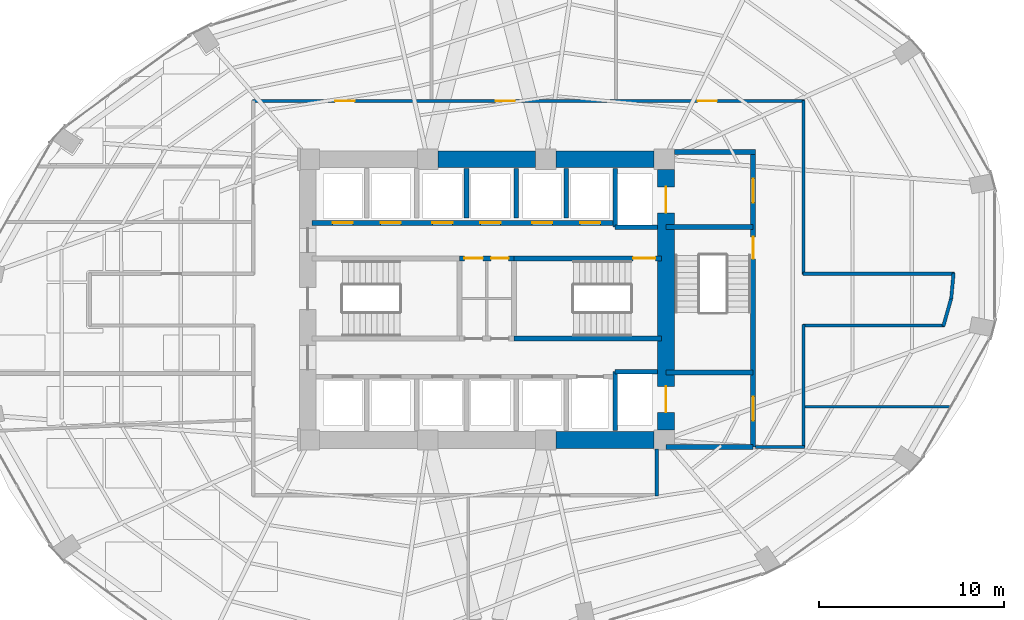
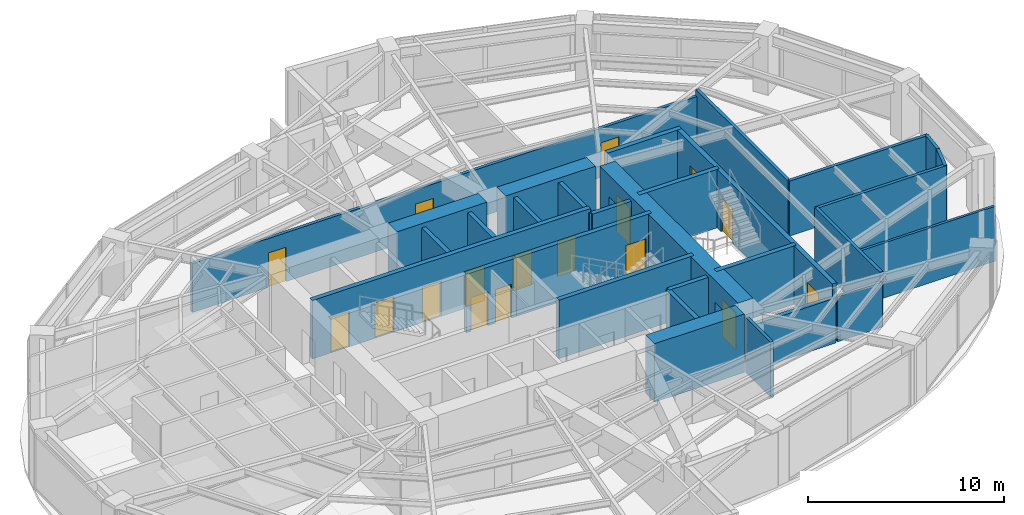
# One storey, part 21 of 24: 30 walls, 17 doors, 17 openings.
"""IFC4 building model written with IfcOpenShell, lengths in metres."""

import ifcopenshell
import ifcopenshell.guid

model = None  # the IFC model being written
_history = None  # IfcOwnerHistory: only IFC2X3 demands one
_inside = {}  # id of a spatial element -> (the spatial element, [elements in it])
_under = {}  # id of a project, library or spatial element -> (it, [spatial elements below it])
_declared = {}  # id of a project -> (the project, [libraries it declares])
_typed = {}  # id of a type object -> (the type object, [elements of that type])
_made_of = {}  # id of a material, layer set ... -> (it, [elements and type objects made of it])


def new_model(schema):
    """Start an empty IFC model of exactly this schema.

    Asked for "IFC4X3", IfcOpenShell would pick the latest addendum, in which some entities
    have other attributes; the version numbers below select the first issue.
    IFC2X3 requires an IfcOwnerHistory on every rooted entity: one is made here for all.
    """
    global model, _history
    if schema == "IFC4X3":
        model = ifcopenshell.file(schema_version=(4, 3, 0, 0))
    else:
        model = ifcopenshell.file(schema=schema)
    _inside.clear()
    _under.clear()
    _declared.clear()
    _typed.clear()
    _made_of.clear()
    _history = None
    if model.schema == "IFC2X3":
        org = make("IfcOrganization", Name="unknown")
        user = make(
            "IfcPersonAndOrganization",
            ThePerson=make("IfcPerson", FamilyName="unknown"),
            TheOrganization=org,
        )
        app = make(
            "IfcApplication",
            ApplicationDeveloper=org,
            Version="unknown",
            ApplicationFullName="unknown",
            ApplicationIdentifier="unknown",
        )
        _history = make(
            "IfcOwnerHistory",
            OwningUser=user,
            OwningApplication=app,
            ChangeAction="ADDED",
            CreationDate=0,
        )
    return model


def make(cls, **values):
    """One entity of the class cls with the attributes given. An attribute that is None is left unset."""
    return model.create_entity(
        cls, **{name: value for name, value in values.items() if value is not None}
    )


def rooted(cls, **values):
    """An entity with a GlobalId (a new one), such as an element, a storey or a relation."""
    return make(cls, GlobalId=ifcopenshell.guid.new(), OwnerHistory=_history, **values)


def si_unit(unit_type, name, prefix=None):
    """IfcSIUnit, for example si_unit("LENGTHUNIT", "METRE", prefix="MILLI")."""
    return make("IfcSIUnit", UnitType=unit_type, Prefix=prefix, Name=name)


def assignment(units):
    """IfcUnitAssignment: the units of a project."""
    return None if units is None else make("IfcUnitAssignment", Units=units)


def point(xyz):
    """IfcCartesianPoint."""
    return None if xyz is None else make("IfcCartesianPoint", Coordinates=xyz)


def direction(xyz):
    """IfcDirection."""
    return None if xyz is None else make("IfcDirection", DirectionRatios=xyz)


def frame(location, z_axis=None, x_axis=None):
    """IfcAxis2Placement3D, a coordinate frame: its origin and axes. An axis left out is left unset."""
    return make(
        "IfcAxis2Placement3D",
        Location=point(location),
        Axis=direction(z_axis),
        RefDirection=direction(x_axis),
    )


def frame_2d(location, x_axis=None):
    """IfcAxis2Placement2D, a coordinate frame in the plane: its origin and x axis."""
    return make(
        "IfcAxis2Placement2D", Location=point(location), RefDirection=direction(x_axis)
    )


def origin():
    """The frame at (0, 0, 0) with its axes left unset."""
    return frame((0.0, 0.0, 0.0))


def place(relative_to, where):
    """IfcLocalPlacement: puts the frame where relative to a parent placement (None: the world)."""
    return make(
        "IfcLocalPlacement", PlacementRelTo=relative_to, RelativePlacement=where
    )


def context(
    kind, dimensions, precision=None, world=None, true_north=None, identifier=None
):
    """IfcGeometricRepresentationContext, for example the 3D "Model" context."""
    return make(
        "IfcGeometricRepresentationContext",
        ContextIdentifier=identifier,
        ContextType=kind,
        CoordinateSpaceDimension=dimensions,
        Precision=precision,
        WorldCoordinateSystem=world,
        TrueNorth=true_north,
    )


def subcontext(parent, identifier, kind, view, scale=None):
    """IfcGeometricRepresentationSubContext, for example "Body" below "Model"."""
    return make(
        "IfcGeometricRepresentationSubContext",
        ContextIdentifier=identifier,
        ContextType=kind,
        ParentContext=parent,
        TargetScale=scale,
        TargetView=view,
    )


def project(units=None, contexts=None):
    """IfcProject with its units and contexts."""
    return rooted(
        "IfcProject",
        Name="project",
        RepresentationContexts=contexts,
        UnitsInContext=assignment(units),
    )


def spatial(cls, under=None, at=None, **own):
    """A site, building, storey or space (cls), placed at a placement, below another one or the project."""
    s = rooted(cls, ObjectPlacement=at, **own)
    if under is not None:
        _under.setdefault(under.id(), (under, []))[1].append(s)
    return s


def profile(cls, at=None, kind="AREA", **sizes):
    """A parametric profile (cls). Its sizes go by their IFC names, for example OverallWidth=200.0."""
    return make(cls, ProfileType=kind, Position=at, **sizes)


def rectangle(**sizes):
    """IfcRectangleProfileDef."""
    return profile("IfcRectangleProfileDef", **sizes)


def extrude(swept, where, along, depth):
    """IfcExtrudedAreaSolid: the profile swept, set in the frame where, extruded along a direction by depth."""
    return make(
        "IfcExtrudedAreaSolid",
        SweptArea=swept,
        Position=where,
        ExtrudedDirection=direction(along),
        Depth=depth,
    )


def shape(context_of_items, identifier, shape_type, items):
    """IfcShapeRepresentation: the items that make up one representation, for example the "Body"."""
    return make(
        "IfcShapeRepresentation",
        ContextOfItems=context_of_items,
        RepresentationIdentifier=identifier,
        RepresentationType=shape_type,
        Items=items,
    )


def material(Name=None, Category=None):
    """IfcMaterial."""
    return make("IfcMaterial", Name=Name, Category=Category)


def layer(
    of_material, thickness, ventilated=None, Name=None, Category=None, Priority=None
):
    """IfcMaterialLayer: one layer of a wall or slab, of a material (None: an air gap)."""
    return make(
        "IfcMaterialLayer",
        Material=of_material,
        LayerThickness=thickness,
        IsVentilated=ventilated,
        Name=Name,
        Category=Category,
        Priority=Priority,
    )


def layer_set(layers, Name=None):
    """IfcMaterialLayerSet."""
    return make("IfcMaterialLayerSet", MaterialLayers=layers, LayerSetName=Name)


def made_of(thing, what):
    """Note that an element or type object is made of a material, layer set ...; save() writes the relation."""
    if what is not None:
        _made_of.setdefault(what.id(), (what, []))[1].append(thing)
    return thing


def type_object(cls, material=None, **own):
    """A type object (cls), such as IfcWallType, which elements share."""
    return made_of(rooted(cls, **own), material)


def element(
    cls,
    number,
    at=None,
    inside=None,
    cuts=None,
    type_object=None,
    material=None,
    context=None,
    identifier="Body",
    shape_type=None,
    held_by="IfcProductDefinitionShape",
    body=None,
    shapes=None,
    **own,
):
    """One element of the class cls, such as IfcWall. Its Tag is "e" and its number.

    at: its placement. inside: the storey or other place that contains it. cuts: it is an
    opening in that element (IfcRelVoidsElement). A single representation is given by context,
    identifier, shape_type and body (its items); several are given by shapes. held_by: the class
    of the entity that holds the representations. save() writes the other relations.
    """
    e = rooted(cls, Tag="e%d" % number, ObjectPlacement=at, **own)
    if body is not None:
        shapes = [shape(context, identifier, shape_type, body)]
    if shapes is not None:
        e.Representation = make(held_by, Representations=shapes)
    if inside is not None:
        _inside.setdefault(inside.id(), (inside, []))[1].append(e)
    if cuts is not None:
        rooted(
            "IfcRelVoidsElement", RelatingBuildingElement=cuts, RelatedOpeningElement=e
        )
    if type_object is not None:
        _typed.setdefault(type_object.id(), (type_object, []))[1].append(e)
    return made_of(e, material)


def fill(opening, filler):
    """IfcRelFillsElement: the door or window that sits in an opening."""
    return rooted(
        "IfcRelFillsElement",
        RelatingOpeningElement=opening,
        RelatedBuildingElement=filler,
    )


def aggregate(whole, parts):
    """IfcRelAggregates: a whole, such as a stair, and the parts it consists of."""
    return rooted("IfcRelAggregates", RelatingObject=whole, RelatedObjects=parts)


def save(model, path):
    """Write the relations noted so far, then the file.

    IfcRelAggregates (storeys below a building ...), IfcRelContainedInSpatialStructure (elements
    in a storey), IfcRelDefinesByType, IfcRelAssociatesMaterial and IfcRelDeclares: one each for
    every whole, place, type object, material and project.
    """
    for whole, parts in _under.values():
        aggregate(whole, parts)
    for where, things in _inside.values():
        rooted(
            "IfcRelContainedInSpatialStructure",
            RelatedElements=things,
            RelatingStructure=where,
        )
    for kind, things in _typed.values():
        rooted("IfcRelDefinesByType", RelatedObjects=things, RelatingType=kind)
    for what, things in _made_of.values():
        rooted("IfcRelAssociatesMaterial", RelatedObjects=things, RelatingMaterial=what)
    for by, libraries in _declared.values():
        rooted("IfcRelDeclares", RelatingContext=by, RelatedDefinitions=libraries)
    model.write(path)


model = new_model("IFC4")

# Units and contexts
model_context = context("Model", 3, precision=1e-05, world=origin(), true_north=direction((0.0, 1.0)))
body_context = subcontext(model_context, "Body", "Model", "MODEL_VIEW")
ifc_project = project(units=[si_unit("LENGTHUNIT", "METRE"), si_unit("AREAUNIT", "SQUARE_METRE"), si_unit("VOLUMEUNIT", "CUBIC_METRE"), si_unit("PLANEANGLEUNIT", "RADIAN"), si_unit("MASSUNIT", "GRAM", prefix="KILO")], contexts=[model_context])

# Site, building, storey
site_placement = place(None, origin())
site = spatial("IfcSite", under=ifc_project, at=site_placement, CompositionType="ELEMENT")
building_placement = place(site_placement, origin())
building = spatial("IfcBuilding", under=site, at=building_placement, Name="Lazwardi Medical Tower", CompositionType="ELEMENT")
storey_placement = place(building_placement, frame((0.0, 0.0, 39.7919921875)))
storey = spatial("IfcBuildingStorey", under=building, at=storey_placement, Name="L09", CompositionType="ELEMENT", Elevation=39.7919921875)

# Wall, openings, doors
ifc_material_1 = material(Name="Fire-rated gypsum board on steel stud", Category="steel")
ifc_layer_1 = layer(ifc_material_1, 0.179931640625)
ifc_layer_set_1 = layer_set([ifc_layer_1], Name="Fire-rated gypsum board on steel stud")
wall_type_1 = type_object("IfcWallType", Name="WL-COR-180", PredefinedType="PARTITIONING", material=ifc_layer_set_1)
wall_1_placement = place(storey_placement, frame((23.31005859375, 38.75, 0.0), z_axis=(0.0, 0.0, 1.0), x_axis=(1.0, 0.0, 0.0)))
wall_1 = element("IfcWall", 1, at=wall_1_placement, inside=storey, type_object=wall_type_1, Name="L09 Corridor partition 4", PredefinedType="PARTITIONING", context=body_context, shape_type="SweptSolid", body=[
    extrude(rectangle(XDim=29.8798828125, YDim=0.179931640625, at=frame_2d((14.93994140625, 0.0))), origin(), (0.0, 0.0, 1.0), 3.052978515625),
])
opening_1_placement = place(wall_1_placement, frame((24.10107421875, 0.0, 0.0)))
opening_1 = element("IfcOpeningElement", 2, at=opening_1_placement, cuts=wall_1, Name="Opening D-L09-012", PredefinedType="OPENING", context=body_context, shape_type="SweptSolid", body=[
    extrude(rectangle(XDim=1.050048828125, YDim=2.14990234375, at=frame_2d((0.52490234375, 1.074951171875))), frame((0.0, 0.099853515625, 0.0), z_axis=(0.0, -1.0, 0.0), x_axis=(1.0, 0.0, 0.0)), (0.0, 0.0, 1.0), 0.199951171875),
])
opening_2_placement = place(wall_1_placement, frame((13.1650390625, 0.0, 0.0)))
opening_2 = element("IfcOpeningElement", 3, at=opening_2_placement, cuts=wall_1, Name="Opening D-L09-013", PredefinedType="OPENING", context=body_context, shape_type="SweptSolid", body=[
    extrude(rectangle(XDim=1.050048828125, YDim=2.14990234375, at=frame_2d((0.52490234375, 1.074951171875))), frame((0.0, 0.099853515625, 0.0), z_axis=(0.0, -1.0, 0.0), x_axis=(1.0, 0.0, 0.0)), (0.0, 0.0, 1.0), 0.199951171875),
])
opening_3_placement = place(wall_1_placement, frame((4.47900390625, 0.0, 0.0)))
opening_3 = element("IfcOpeningElement", 4, at=opening_3_placement, cuts=wall_1, Name="Opening D-L09-014", PredefinedType="OPENING", context=body_context, shape_type="SweptSolid", body=[
    extrude(rectangle(XDim=1.050048828125, YDim=2.14990234375, at=frame_2d((0.52490234375, 1.074951171875))), frame((0.0, 0.099853515625, 0.0), z_axis=(0.0, -1.0, 0.0), x_axis=(1.0, 0.0, 0.0)), (0.0, 0.0, 1.0), 0.199951171875),
])
ifc_material_2 = material(Name="Anti-microbial laminate hospital leaf")
door_type_1 = type_object("IfcDoorType", Name="DR-CLN-1050", OperationType="NOTDEFINED", PredefinedType="DOOR", material=ifc_material_2)
door_1_placement = place(opening_1_placement, origin())
door_1 = element("IfcDoor", 5, at=door_1_placement, inside=storey, type_object=door_type_1, Name="L09 Ward Dietetic Pantry Door 04", OperationType="SINGLE_SWING_LEFT", OverallHeight=2.14990234375, OverallWidth=1.050048828125, PredefinedType="DOOR", context=body_context, shape_type="SweptSolid", body=[
    extrude(rectangle(XDim=1.050048828125, YDim=2.14990234375, at=frame_2d((0.52490234375, 1.074951171875))), frame((0.0, 0.02490234375, 0.0), z_axis=(0.0, -1.0, 0.0), x_axis=(1.0, 0.0, 0.0)), (0.0, 0.0, 1.0), 0.050048828125),
])
fill(opening_1, door_1)
door_2_placement = place(opening_2_placement, origin())
door_2 = element("IfcDoor", 6, at=door_2_placement, inside=storey, type_object=door_type_1, Name="L09 Outpatient Clinic Door 05", OperationType="SINGLE_SWING_RIGHT", OverallHeight=2.14990234375, OverallWidth=1.050048828125, PredefinedType="DOOR", context=body_context, shape_type="SweptSolid", body=[
    extrude(rectangle(XDim=1.050048828125, YDim=2.14990234375, at=frame_2d((0.52490234375, 1.074951171875))), frame((0.0, 0.02490234375, 0.0), z_axis=(0.0, -1.0, 0.0), x_axis=(1.0, 0.0, 0.0)), (0.0, 0.0, 1.0), 0.050048828125),
])
fill(opening_2, door_2)
door_3_placement = place(opening_3_placement, origin())
door_3 = element("IfcDoor", 7, at=door_3_placement, inside=storey, type_object=door_type_1, Name="L09 Outpatient Clinic Door 06", OperationType="SINGLE_SWING_LEFT", OverallHeight=2.14990234375, OverallWidth=1.050048828125, PredefinedType="DOOR", context=body_context, shape_type="SweptSolid", body=[
    extrude(rectangle(XDim=1.050048828125, YDim=2.14990234375, at=frame_2d((0.52490234375, 1.074951171875))), frame((0.0, 0.02490234375, 0.0), z_axis=(0.0, -1.0, 0.0), x_axis=(1.0, 0.0, 0.0)), (0.0, 0.0, 1.0), 0.050048828125),
])
fill(opening_3, door_3)

# Walls
wall_2_placement = place(storey_placement, frame((53.14990234375, 38.7900390625, 0.0), z_axis=(0.0, 0.0, 1.0), x_axis=(0.0, -1.0, 0.0)))
element("IfcWall", 8, at=wall_2_placement, inside=storey, type_object=wall_type_1, Name="L09 Corridor partition 5", PredefinedType="PARTITIONING", context=body_context, shape_type="SweptSolid", body=[
    extrude(rectangle(XDim=9.429931640625, YDim=0.179931640625, at=frame_2d((4.71484375, 0.0))), origin(), (0.0, 0.0, 1.0), 3.427978515625),
])
wall_3_placement = place(storey_placement, frame((53.110107421875, 29.39990234375, 0.0), z_axis=(0.0, 0.0, 1.0), x_axis=(1.0, 0.0, 0.0)))
element("IfcWall", 9, at=wall_3_placement, inside=storey, type_object=wall_type_1, Name="L09 Corridor partition 6", PredefinedType="PARTITIONING", context=body_context, shape_type="SweptSolid", body=[
    extrude(rectangle(XDim=8.19677734375, YDim=0.179931640625, at=frame_2d((4.098388671875, 0.0))), origin(), (0.0, 0.0, 1.0), 3.427978515625),
])
wall_4_placement = place(storey_placement, frame((61.2705078125, 29.439697265625, 0.0), z_axis=(0.0, 0.0, 1.0), x_axis=(-0.092539930621, -0.995708974169, 0.0)))
element("IfcWall", 10, at=wall_4_placement, inside=storey, type_object=wall_type_1, Name="L09 Corridor partition 7", PredefinedType="PARTITIONING", context=body_context, shape_type="SweptSolid", body=[
    extrude(rectangle(XDim=1.416748046875, YDim=0.179931640625, at=frame_2d((0.70849609375, 0.0))), origin(), (0.0, 0.0, 1.0), 3.427978515625),
])
wall_5_placement = place(storey_placement, frame((61.15380859375, 28.107421875, 0.0), z_axis=(0.0, 0.0, 1.0), x_axis=(-0.271748942561, -0.962368179138, 0.0)))
element("IfcWall", 11, at=wall_5_placement, inside=storey, type_object=wall_type_1, Name="L09 Corridor partition 8", PredefinedType="PARTITIONING", context=body_context, shape_type="SweptSolid", body=[
    extrude(rectangle(XDim=1.6064453125, YDim=0.179931640625, at=frame_2d((0.80322265625, 0.0))), origin(), (0.0, 0.0, 1.0), 3.427978515625),
])
wall_6_placement = place(storey_placement, frame((60.768310546875, 26.60009765625, 0.0), z_axis=(0.0, 0.0, 1.0), x_axis=(-1.0, 0.0, 0.0)))
element("IfcWall", 12, at=wall_6_placement, inside=storey, type_object=wall_type_1, Name="L09 Corridor partition 9", PredefinedType="PARTITIONING", context=body_context, shape_type="SweptSolid", body=[
    extrude(rectangle(XDim=7.658203125, YDim=0.179931640625, at=frame_2d((3.8291015625, 0.0))), origin(), (0.0, 0.0, 1.0), 3.427978515625),
])
wall_7_placement = place(storey_placement, frame((53.14990234375, 26.639892578125, 0.0), z_axis=(0.0, 0.0, 1.0), x_axis=(0.0, -1.0, 0.0)))
element("IfcWall", 13, at=wall_7_placement, inside=storey, type_object=wall_type_1, Name="L09 Corridor partition 10", PredefinedType="PARTITIONING", context=body_context, shape_type="SweptSolid", body=[
    extrude(rectangle(XDim=6.659912109375, YDim=0.179931640625, at=frame_2d((3.330078125, 0.0))), origin(), (0.0, 0.0, 1.0), 3.427978515625),
])
wall_8_placement = place(storey_placement, frame((53.18994140625, 20.02001953125, 0.0), z_axis=(0.0, 0.0, 1.0), x_axis=(-1.0, 0.0, 0.0)))
element("IfcWall", 14, at=wall_8_placement, inside=storey, type_object=wall_type_1, Name="L09 Corridor partition 11", PredefinedType="PARTITIONING", context=body_context, shape_type="SweptSolid", body=[
    extrude(rectangle(XDim=2.64990234375, YDim=0.179931640625, at=frame_2d((1.324951171875, 0.0))), origin(), (0.0, 0.0, 1.0), 2.81298828125),
])
wall_9_placement = place(storey_placement, frame((45.199951171875, 19.909912109375, 0.0), z_axis=(0.0, 0.0, 1.0), x_axis=(0.0, -1.0, 0.0)))
element("IfcWall", 15, at=wall_9_placement, inside=storey, type_object=wall_type_1, Name="L09 Corridor partition 14", PredefinedType="PARTITIONING", context=body_context, shape_type="SweptSolid", body=[
    extrude(rectangle(XDim=2.5498046875, YDim=0.179931640625, at=frame_2d((1.27490234375, 0.0))), origin(), (0.0, 0.0, 1.0), 3.427978515625),
])

# Wall, openings, doors
ifc_material_3 = material(Name="Concrete C80/95", Category="concrete")
ifc_layer_2 = layer(ifc_material_3, 0.89990234375)
ifc_layer_set_2 = layer_set([ifc_layer_2], Name="Concrete C80/95")
wall_type_2 = type_object("IfcWallType", Name="WL-CORE-900", PredefinedType="SHEAR", material=ifc_layer_set_2)
wall_10_placement = place(storey_placement, frame((45.699951171875, 20.949951171875, 0.0), z_axis=(0.0, 0.0, 1.0), x_axis=(0.0, 1.0, 0.0)))
wall_10 = element("IfcWall", 16, at=wall_10_placement, inside=storey, type_object=wall_type_2, Name="Core wall CW-S1 east L09", PredefinedType="SHEAR", context=body_context, shape_type="SweptSolid", body=[
    extrude(rectangle(XDim=14.10009765625, YDim=0.89990234375, at=frame_2d((7.050048828125, 0.0))), origin(), (0.0, 0.0, 1.0), 3.64794921875),
])
opening_4_placement = place(wall_10_placement, frame((11.75, 0.0, 0.0)))
opening_4 = element("IfcOpeningElement", 17, at=opening_4_placement, cuts=wall_10, Name="Opening LD-L09-001", PredefinedType="OPENING", context=body_context, shape_type="SweptSolid", body=[
    extrude(rectangle(XDim=1.39990234375, YDim=2.300048828125, at=frame_2d((0.699951171875, 1.14990234375))), frame((0.0, 0.4599609375, 0.0), z_axis=(0.0, -1.0, 0.0), x_axis=(1.0, 0.0, 0.0)), (0.0, 0.0, 1.0), 0.919921875),
])
opening_5_placement = place(wall_10_placement, frame((0.949951171875, 0.0, 0.0)))
opening_5 = element("IfcOpeningElement", 18, at=opening_5_placement, cuts=wall_10, Name="Opening LD-L09-002", PredefinedType="OPENING", context=body_context, shape_type="SweptSolid", body=[
    extrude(rectangle(XDim=1.39990234375, YDim=2.300048828125, at=frame_2d((0.699951171875, 1.14990234375))), frame((0.0, 0.4599609375, 0.0), z_axis=(0.0, -1.0, 0.0), x_axis=(1.0, 0.0, 0.0)), (0.0, 0.0, 1.0), 0.919921875),
])
ifc_material_4 = material(Name="Brushed stainless steel bed-lift landing door", Category="steel")
door_type_2 = type_object("IfcDoorType", Name="DR-LFT-1400", OperationType="NOTDEFINED", PredefinedType="DOOR", material=ifc_material_4)
door_4_placement = place(opening_4_placement, origin())
door_4 = element("IfcDoor", 19, at=door_4_placement, inside=storey, type_object=door_type_2, Name="L09 Lift Landing Door FL-01", OperationType="SLIDING_TO_LEFT", OverallHeight=2.300048828125, OverallWidth=1.39990234375, PredefinedType="DOOR", context=body_context, shape_type="SweptSolid", body=[
    extrude(rectangle(XDim=1.39990234375, YDim=2.300048828125, at=frame_2d((0.699951171875, 1.14990234375))), frame((0.0, 0.02490234375, 0.0), z_axis=(0.0, -1.0, 0.0), x_axis=(1.0, 0.0, 0.0)), (0.0, 0.0, 1.0), 0.050048828125),
])
fill(opening_4, door_4)
door_5_placement = place(opening_5_placement, origin())
door_5 = element("IfcDoor", 20, at=door_5_placement, inside=storey, type_object=door_type_2, Name="L09 Lift Landing Door FL-02", OperationType="SLIDING_TO_LEFT", OverallHeight=2.300048828125, OverallWidth=1.39990234375, PredefinedType="DOOR", context=body_context, shape_type="SweptSolid", body=[
    extrude(rectangle(XDim=1.39990234375, YDim=2.300048828125, at=frame_2d((0.699951171875, 1.14990234375))), frame((0.0, 0.02490234375, 0.0), z_axis=(0.0, -1.0, 0.0), x_axis=(1.0, 0.0, 0.0)), (0.0, 0.0, 1.0), 0.050048828125),
])
fill(opening_5, door_5)

# Walls
wall_11_placement = place(storey_placement, frame((33.35009765625, 35.60009765625, 0.0), z_axis=(0.0, 0.0, 1.0), x_axis=(1.0, 0.0, 0.0)))
element("IfcWall", 21, at=wall_11_placement, inside=storey, type_object=wall_type_2, Name="Core wall CW-S1 N2 L09", PredefinedType="SHEAR", context=body_context, shape_type="SweptSolid", body=[
    extrude(rectangle(XDim=5.2998046875, YDim=0.89990234375, at=frame_2d((2.64990234375, 0.0))), origin(), (0.0, 0.0, 1.0), 3.64794921875),
])
for number, where, z_axis, x_axis, name in (
    (22, (39.75, 20.39990234375, 0.0), (0.0, 0.0, 1.0), (1.0, 0.0, 0.0), "Core wall CW-S1 S3 L09"),
    (23, (39.75, 35.60009765625, 0.0), (0.0, 0.0, 1.0), (1.0, 0.0, 0.0), "Core wall CW-S1 N3 L09"),
):
    element("IfcWall", number, at=place(storey_placement, frame(where, z_axis=z_axis, x_axis=x_axis)), inside=storey, type_object=wall_type_2, Name=name, PredefinedType="SHEAR", context=body_context, shape_type="SweptSolid", body=[
        extrude(rectangle(XDim=5.300048828125, YDim=0.89990234375, at=frame_2d((2.64990234375, 0.0))), origin(), (0.0, 0.0, 1.0), 3.64794921875),
    ])
ifc_material_5 = material(Name="Autoclaved aerated concrete blockwork", Category="masonry")
ifc_layer_3 = layer(ifc_material_5, 0.25)
ifc_layer_set_3 = layer_set([ifc_layer_3], Name="Autoclaved aerated concrete blockwork")
wall_type_3 = type_object("IfcWallType", Name="WL-SHAFT-250", PredefinedType="SOLIDWALL", material=ifc_layer_set_3)
wall_12_placement = place(storey_placement, frame((42.949951171875, 31.919921875, 0.0), z_axis=(0.0, 0.0, 1.0), x_axis=(0.0, 1.0, 0.0)))
element("IfcWall", 24, at=wall_12_placement, inside=storey, type_object=wall_type_3, Name="L09 FL-01 West shaft wall", PredefinedType="SOLIDWALL", context=body_context, shape_type="SweptSolid", body=[
    extrude(rectangle(XDim=3.18017578125, YDim=0.25, at=frame_2d((1.590087890625, 0.0))), origin(), (0.0, 0.0, 1.0), 3.427978515625),
])
wall_13_placement = place(storey_placement, frame((42.949951171875, 31.919921875, 0.0), z_axis=(0.0, 0.0, 1.0), x_axis=(1.0, 0.0, 0.0)))
element("IfcWall", 25, at=wall_13_placement, inside=storey, type_object=wall_type_3, Name="L09 FL-01 South shaft wall", PredefinedType="SOLIDWALL", context=body_context, shape_type="SweptSolid", body=[
    extrude(rectangle(XDim=2.300048828125, YDim=0.25, at=frame_2d((1.14990234375, 0.0))), origin(), (0.0, 0.0, 1.0), 3.427978515625),
])
wall_14_placement = place(storey_placement, frame((42.949951171875, 20.89990234375, 0.0), z_axis=(0.0, 0.0, 1.0), x_axis=(0.0, 1.0, 0.0)))
element("IfcWall", 26, at=wall_14_placement, inside=storey, type_object=wall_type_3, Name="L09 FL-02 West shaft wall", PredefinedType="SOLIDWALL", context=body_context, shape_type="SweptSolid", body=[
    extrude(rectangle(XDim=3.2001953125, YDim=0.25, at=frame_2d((1.60009765625, 0.0))), origin(), (0.0, 0.0, 1.0), 3.427978515625),
])
wall_15_placement = place(storey_placement, frame((42.949951171875, 24.10009765625, 0.0), z_axis=(0.0, 0.0, 1.0), x_axis=(1.0, 0.0, 0.0)))
element("IfcWall", 27, at=wall_15_placement, inside=storey, type_object=wall_type_3, Name="L09 FL-02 North shaft wall", PredefinedType="SOLIDWALL", context=body_context, shape_type="SweptSolid", body=[
    extrude(rectangle(XDim=2.300048828125, YDim=0.25, at=frame_2d((1.14990234375, 0.0))), origin(), (0.0, 0.0, 1.0), 3.427978515625),
])
for number, where, z_axis, x_axis, name in (
    (28, (34.89990234375, 32.419921875, 0.0), (0.0, 0.0, 1.0), (0.0, 1.0, 0.0), "L09 North hoistway divider"),
    (29, (37.60009765625, 32.419921875, 0.0), (0.0, 0.0, 1.0), (0.0, 1.0, 0.0), "L09 North hoistway divider"),
    (30, (40.300048828125, 32.419921875, 0.0), (0.0, 0.0, 1.0), (0.0, 1.0, 0.0), "L09 North hoistway divider"),
):
    element("IfcWall", number, at=place(storey_placement, frame(where, z_axis=z_axis, x_axis=x_axis)), inside=storey, type_object=wall_type_3, Name=name, PredefinedType="SOLIDWALL", context=body_context, shape_type="SweptSolid", body=[
        extrude(rectangle(XDim=2.68017578125, YDim=0.25, at=frame_2d((1.340087890625, 0.0))), origin(), (0.0, 0.0, 1.0), 3.427978515625),
    ])
wall_16_placement = place(storey_placement, frame((45.699951171875, 20.02001953125, 0.0), z_axis=(0.0, 0.0, 1.0), x_axis=(1.0, 0.0, 0.0)))
element("IfcWall", 31, at=wall_16_placement, inside=storey, type_object=wall_type_3, Name="L09 FFL-S South wall", PredefinedType="SOLIDWALL", context=body_context, shape_type="SweptSolid", body=[
    extrude(rectangle(XDim=4.715087890625, YDim=0.25, at=frame_2d((2.357421875, 0.0))), origin(), (0.0, 0.0, 1.0), 2.81298828125),
])

# Wall, openings, doors
ifc_material_6 = material(Name="Concrete C50/60", Category="concrete")
ifc_layer_4 = layer(ifc_material_6, 0.27001953125)
ifc_layer_set_4 = layer_set([ifc_layer_4], Name="Concrete C50/60")
wall_type_4 = type_object("IfcWallType", Name="WL-STR-250", PredefinedType="SHEAR", material=ifc_layer_set_4)
wall_17_placement = place(storey_placement, frame((34.534912109375, 30.235107421875, 0.0), z_axis=(0.0, 0.0, 1.0), x_axis=(1.0, 0.0, 0.0)))
wall_17 = element("IfcWall", 32, at=wall_17_placement, inside=storey, type_object=wall_type_4, Name="L09 Core service North shear wall SW-S1", PredefinedType="SHEAR", context=body_context, shape_type="SweptSolid", body=[
    extrude(rectangle(XDim=2.93017578125, YDim=0.27001953125, at=frame_2d((1.465087890625, 0.0))), origin(), (0.0, 0.0, 1.0), 3.64794921875),
])
opening_6_placement = place(wall_17_placement, frame((0.2548828125, 0.0, 0.0)))
opening_6 = element("IfcOpeningElement", 33, at=opening_6_placement, cuts=wall_17, Name="Opening D-L09-003", PredefinedType="OPENING", context=body_context, shape_type="SweptSolid", body=[
    extrude(rectangle(XDim=1.0, YDim=2.10009765625, at=frame_2d((0.5, 1.050048828125))), frame((0.0, 0.14501953125, 0.0), z_axis=(0.0, -1.0, 0.0), x_axis=(1.0, 0.0, 0.0)), (0.0, 0.0, 1.0), 0.2900390625),
])
opening_7_placement = place(wall_17_placement, frame((1.699951171875, 0.0, 0.0)))
opening_7 = element("IfcOpeningElement", 34, at=opening_7_placement, cuts=wall_17, Name="Opening D-L09-004", PredefinedType="OPENING", context=body_context, shape_type="SweptSolid", body=[
    extrude(rectangle(XDim=0.949951171875, YDim=2.10009765625, at=frame_2d((0.47509765625, 1.050048828125))), frame((0.0, 0.14501953125, 0.0), z_axis=(0.0, -1.0, 0.0), x_axis=(1.0, 0.0, 0.0)), (0.0, 0.0, 1.0), 0.2900390625),
])
ifc_material_7 = material(Name="Moisture-resistant laminate door leaf")
door_type_3 = type_object("IfcDoorType", Name="DR-AWC-1000", OperationType="NOTDEFINED", PredefinedType="DOOR", material=ifc_material_7)
door_6_placement = place(opening_6_placement, origin())
door_6 = element("IfcDoor", 35, at=door_6_placement, inside=storey, type_object=door_type_3, Name="L09 Accessible WC Door", OperationType="SINGLE_SWING_LEFT", OverallHeight=2.10009765625, OverallWidth=1.0, PredefinedType="DOOR", context=body_context, shape_type="SweptSolid", body=[
    extrude(rectangle(XDim=1.0, YDim=2.10009765625, at=frame_2d((0.5, 1.050048828125))), frame((0.0, 0.02490234375, 0.0), z_axis=(0.0, -1.0, 0.0), x_axis=(1.0, 0.0, 0.0)), (0.0, 0.0, 1.0), 0.050048828125),
])
fill(opening_6, door_6)
door_type_4 = type_object("IfcDoorType", Name="DR-ENS-950", OperationType="NOTDEFINED", PredefinedType="DOOR", material=ifc_material_7)
door_7_placement = place(opening_7_placement, origin())
door_7 = element("IfcDoor", 36, at=door_7_placement, inside=storey, type_object=door_type_4, Name="L09 Clean Utility Door", OperationType="SINGLE_SWING_RIGHT", OverallHeight=2.10009765625, OverallWidth=0.949951171875, PredefinedType="DOOR", context=body_context, shape_type="SweptSolid", body=[
    extrude(rectangle(XDim=0.949951171875, YDim=2.10009765625, at=frame_2d((0.47509765625, 1.050048828125))), frame((0.0, 0.02490234375, 0.0), z_axis=(0.0, -1.0, 0.0), x_axis=(1.0, 0.0, 0.0)), (0.0, 0.0, 1.0), 0.050048828125),
])
fill(opening_7, door_7)

# Wall, opening, door
wall_18_placement = place(storey_placement, frame((37.465087890625, 30.235107421875, 0.0), z_axis=(0.0, 0.0, 1.0), x_axis=(1.0, 0.0, 0.0)))
wall_18 = element("IfcWall", 37, at=wall_18_placement, inside=storey, type_object=wall_type_4, Name="L09 ST2 North shear shaft wall SW-S1", PredefinedType="SHEAR", context=body_context, shape_type="SweptSolid", body=[
    extrude(rectangle(XDim=7.98486328125, YDim=0.27001953125, at=frame_2d((3.992431640625, 0.0))), origin(), (0.0, 0.0, 1.0), 3.64794921875),
])
opening_8_placement = place(wall_18_placement, frame((6.455078125, 0.0, 0.0)))
opening_8 = element("IfcOpeningElement", 38, at=opening_8_placement, cuts=wall_18, Name="Opening D-L09-018", PredefinedType="OPENING", context=body_context, shape_type="SweptSolid", body=[
    extrude(rectangle(XDim=1.199951171875, YDim=2.14990234375, at=frame_2d((0.60009765625, 1.074951171875))), frame((0.0, 0.14501953125, 0.0), z_axis=(0.0, -1.0, 0.0), x_axis=(1.0, 0.0, 0.0)), (0.0, 0.0, 1.0), 0.2900390625),
])
ifc_material_8 = material(Name="Fire-rated steel leaf and frame", Category="steel")
door_type_5 = type_object("IfcDoorType", Name="DR-STR-1200", OperationType="NOTDEFINED", PredefinedType="DOOR", material=ifc_material_8)
door_8_placement = place(opening_8_placement, origin())
door_8 = element("IfcDoor", 39, at=door_8_placement, inside=storey, type_object=door_type_5, Name="L09 Exit Stair ST2 Door", OperationType="SINGLE_SWING_RIGHT", OverallHeight=2.14990234375, OverallWidth=1.199951171875, PredefinedType="DOOR", context=body_context, shape_type="SweptSolid", body=[
    extrude(rectangle(XDim=1.199951171875, YDim=2.14990234375, at=frame_2d((0.60009765625, 1.074951171875))), frame((0.0, 0.02490234375, 0.0), z_axis=(0.0, -1.0, 0.0), x_axis=(1.0, 0.0, 0.0)), (0.0, 0.0, 1.0), 0.050048828125),
])
fill(opening_8, door_8)

# Wall
wall_19_placement = place(storey_placement, frame((37.465087890625, 25.885009765625, 0.0), z_axis=(0.0, 0.0, 1.0), x_axis=(1.0, 0.0, 0.0)))
element("IfcWall", 40, at=wall_19_placement, inside=storey, type_object=wall_type_4, Name="L09 ST2 South shear shaft wall SW-S1", PredefinedType="SHEAR", context=body_context, shape_type="SweptSolid", body=[
    extrude(rectangle(XDim=7.98486328125, YDim=0.27001953125, at=frame_2d((3.992431640625, 0.0))), origin(), (0.0, 0.0, 1.0), 3.64794921875),
])

# Wall, openings, doors
wall_20_placement = place(storey_placement, frame((26.550048828125, 32.14990234375, 0.0), z_axis=(0.0, 0.0, 1.0), x_axis=(1.0, 0.0, 0.0)))
wall_20 = element("IfcWall", 41, at=wall_20_placement, inside=storey, type_object=wall_type_4, Name="L09 North lift bank shear wall SW-S1", PredefinedType="SHEAR", context=body_context, shape_type="SweptSolid", body=[
    extrude(rectangle(XDim=16.39990234375, YDim=0.27001953125, at=frame_2d((8.199951171875, 0.0))), origin(), (0.0, 0.0, 1.0), 3.64794921875),
])
opening_9_placement = place(wall_20_placement, frame((1.10009765625, 0.0, 0.0)))
opening_9 = element("IfcOpeningElement", 42, at=opening_9_placement, cuts=wall_20, Name="Opening LD-L09-004", PredefinedType="OPENING", context=body_context, shape_type="SweptSolid", body=[
    extrude(rectangle(XDim=1.10009765625, YDim=2.199951171875, at=frame_2d((0.550048828125, 1.10009765625))), frame((0.0, 0.14501953125, 0.0), z_axis=(0.0, -1.0, 0.0), x_axis=(1.0, 0.0, 0.0)), (0.0, 0.0, 1.0), 0.2900390625),
])
opening_10_placement = place(wall_20_placement, frame((3.699951171875, 0.0, 0.0)))
opening_10 = element("IfcOpeningElement", 43, at=opening_10_placement, cuts=wall_20, Name="Opening LD-L09-005", PredefinedType="OPENING", context=body_context, shape_type="SweptSolid", body=[
    extrude(rectangle(XDim=1.10009765625, YDim=2.199951171875, at=frame_2d((0.550048828125, 1.10009765625))), frame((0.0, 0.14501953125, 0.0), z_axis=(0.0, -1.0, 0.0), x_axis=(1.0, 0.0, 0.0)), (0.0, 0.0, 1.0), 0.2900390625),
])
opening_11_placement = place(wall_20_placement, frame((6.5, 0.0, 0.0)))
opening_11 = element("IfcOpeningElement", 44, at=opening_11_placement, cuts=wall_20, Name="Opening LD-L09-008", PredefinedType="OPENING", context=body_context, shape_type="SweptSolid", body=[
    extrude(rectangle(XDim=1.10009765625, YDim=2.199951171875, at=frame_2d((0.550048828125, 1.10009765625))), frame((0.0, 0.14501953125, 0.0), z_axis=(0.0, -1.0, 0.0), x_axis=(1.0, 0.0, 0.0)), (0.0, 0.0, 1.0), 0.2900390625),
])
opening_12_placement = place(wall_20_placement, frame((9.10009765625, 0.0, 0.0)))
opening_12 = element("IfcOpeningElement", 45, at=opening_12_placement, cuts=wall_20, Name="Opening LD-L09-009", PredefinedType="OPENING", context=body_context, shape_type="SweptSolid", body=[
    extrude(rectangle(XDim=1.10009765625, YDim=2.199951171875, at=frame_2d((0.550048828125, 1.10009765625))), frame((0.0, 0.14501953125, 0.0), z_axis=(0.0, -1.0, 0.0), x_axis=(1.0, 0.0, 0.0)), (0.0, 0.0, 1.0), 0.2900390625),
])
opening_13_placement = place(wall_20_placement, frame((11.89990234375, 0.0, 0.0)))
opening_13 = element("IfcOpeningElement", 46, at=opening_13_placement, cuts=wall_20, Name="Opening LD-L09-012", PredefinedType="OPENING", context=body_context, shape_type="SweptSolid", body=[
    extrude(rectangle(XDim=1.10009765625, YDim=2.199951171875, at=frame_2d((0.550048828125, 1.10009765625))), frame((0.0, 0.14501953125, 0.0), z_axis=(0.0, -1.0, 0.0), x_axis=(1.0, 0.0, 0.0)), (0.0, 0.0, 1.0), 0.2900390625),
])
opening_14_placement = place(wall_20_placement, frame((14.5, 0.0, 0.0)))
opening_14 = element("IfcOpeningElement", 47, at=opening_14_placement, cuts=wall_20, Name="Opening LD-L09-013", PredefinedType="OPENING", context=body_context, shape_type="SweptSolid", body=[
    extrude(rectangle(XDim=1.10009765625, YDim=2.199951171875, at=frame_2d((0.550048828125, 1.10009765625))), frame((0.0, 0.14501953125, 0.0), z_axis=(0.0, -1.0, 0.0), x_axis=(1.0, 0.0, 0.0)), (0.0, 0.0, 1.0), 0.2900390625),
])
ifc_material_9 = material(Name="Brushed bronze stainless steel landing door", Category="steel")
door_type_6 = type_object("IfcDoorType", Name="DR-LFT-1100", OperationType="NOTDEFINED", PredefinedType="DOOR", material=ifc_material_9)
door_9_placement = place(opening_9_placement, origin())
door_9 = element("IfcDoor", 48, at=door_9_placement, inside=storey, type_object=door_type_6, Name="L09 Lift Landing Door PL-01", OperationType="SLIDING_TO_LEFT", OverallHeight=2.199951171875, OverallWidth=1.10009765625, PredefinedType="DOOR", context=body_context, shape_type="SweptSolid", body=[
    extrude(rectangle(XDim=1.10009765625, YDim=2.199951171875, at=frame_2d((0.550048828125, 1.10009765625))), frame((0.0, 0.02490234375, 0.0), z_axis=(0.0, -1.0, 0.0), x_axis=(1.0, 0.0, 0.0)), (0.0, 0.0, 1.0), 0.050048828125),
])
fill(opening_9, door_9)
door_10_placement = place(opening_10_placement, origin())
door_10 = element("IfcDoor", 49, at=door_10_placement, inside=storey, type_object=door_type_6, Name="L09 Lift Landing Door PL-02", OperationType="SLIDING_TO_LEFT", OverallHeight=2.199951171875, OverallWidth=1.10009765625, PredefinedType="DOOR", context=body_context, shape_type="SweptSolid", body=[
    extrude(rectangle(XDim=1.10009765625, YDim=2.199951171875, at=frame_2d((0.550048828125, 1.10009765625))), frame((0.0, 0.02490234375, 0.0), z_axis=(0.0, -1.0, 0.0), x_axis=(1.0, 0.0, 0.0)), (0.0, 0.0, 1.0), 0.050048828125),
])
fill(opening_10, door_10)
door_11_placement = place(opening_11_placement, origin())
door_11 = element("IfcDoor", 50, at=door_11_placement, inside=storey, type_object=door_type_6, Name="L09 Lift Landing Door PL-05", OperationType="SLIDING_TO_LEFT", OverallHeight=2.199951171875, OverallWidth=1.10009765625, PredefinedType="DOOR", context=body_context, shape_type="SweptSolid", body=[
    extrude(rectangle(XDim=1.10009765625, YDim=2.199951171875, at=frame_2d((0.550048828125, 1.10009765625))), frame((0.0, 0.02490234375, 0.0), z_axis=(0.0, -1.0, 0.0), x_axis=(1.0, 0.0, 0.0)), (0.0, 0.0, 1.0), 0.050048828125),
])
fill(opening_11, door_11)
door_12_placement = place(opening_12_placement, origin())
door_12 = element("IfcDoor", 51, at=door_12_placement, inside=storey, type_object=door_type_6, Name="L09 Lift Landing Door PL-06", OperationType="SLIDING_TO_LEFT", OverallHeight=2.199951171875, OverallWidth=1.10009765625, PredefinedType="DOOR", context=body_context, shape_type="SweptSolid", body=[
    extrude(rectangle(XDim=1.10009765625, YDim=2.199951171875, at=frame_2d((0.550048828125, 1.10009765625))), frame((0.0, 0.02490234375, 0.0), z_axis=(0.0, -1.0, 0.0), x_axis=(1.0, 0.0, 0.0)), (0.0, 0.0, 1.0), 0.050048828125),
])
fill(opening_12, door_12)
door_13_placement = place(opening_13_placement, origin())
door_13 = element("IfcDoor", 52, at=door_13_placement, inside=storey, type_object=door_type_6, Name="L09 Lift Landing Door PL-09", OperationType="SLIDING_TO_LEFT", OverallHeight=2.199951171875, OverallWidth=1.10009765625, PredefinedType="DOOR", context=body_context, shape_type="SweptSolid", body=[
    extrude(rectangle(XDim=1.10009765625, YDim=2.199951171875, at=frame_2d((0.550048828125, 1.10009765625))), frame((0.0, 0.02490234375, 0.0), z_axis=(0.0, -1.0, 0.0), x_axis=(1.0, 0.0, 0.0)), (0.0, 0.0, 1.0), 0.050048828125),
])
fill(opening_13, door_13)
door_14_placement = place(opening_14_placement, origin())
door_14 = element("IfcDoor", 53, at=door_14_placement, inside=storey, type_object=door_type_6, Name="L09 Lift Landing Door PL-10", OperationType="SLIDING_TO_LEFT", OverallHeight=2.199951171875, OverallWidth=1.10009765625, PredefinedType="DOOR", context=body_context, shape_type="SweptSolid", body=[
    extrude(rectangle(XDim=1.10009765625, YDim=2.199951171875, at=frame_2d((0.550048828125, 1.10009765625))), frame((0.0, 0.02490234375, 0.0), z_axis=(0.0, -1.0, 0.0), x_axis=(1.0, 0.0, 0.0)), (0.0, 0.0, 1.0), 0.050048828125),
])
fill(opening_14, door_14)

wall_21_placement = place(storey_placement, frame((50.4150390625, 35.844970703125, 0.0), z_axis=(0.0, 0.0, 1.0), x_axis=(0.0, -1.0, 0.0)))
wall_21 = element("IfcWall", 54, at=wall_21_placement, inside=storey, type_object=wall_type_4, Name="L09 East ST3 & FFL shear wall SW-S1", PredefinedType="SHEAR", context=body_context, shape_type="SweptSolid", body=[
    extrude(rectangle(XDim=15.824951171875, YDim=0.27001953125, at=frame_2d((7.91259765625, 0.0))), origin(), (0.0, 0.0, 1.0), 3.64794921875),
])
opening_15_placement = place(wall_21_placement, frame((4.445068359375, 0.0, 0.0)))
opening_15 = element("IfcOpeningElement", 55, at=opening_15_placement, cuts=wall_21, Name="Opening D-L09-019", PredefinedType="OPENING", context=body_context, shape_type="SweptSolid", body=[
    extrude(rectangle(XDim=1.199951171875, YDim=2.14990234375, at=frame_2d((0.60009765625, 1.074951171875))), frame((0.0, 0.14501953125, 0.0), z_axis=(0.0, -1.0, 0.0), x_axis=(1.0, 0.0, 0.0)), (0.0, 0.0, 1.0), 0.2900390625),
])
opening_16_placement = place(wall_21_placement, frame((1.294921875, 0.0, 0.0)))
opening_16 = element("IfcOpeningElement", 56, at=opening_16_placement, cuts=wall_21, Name="Opening D-L09-005", PredefinedType="OPENING", context=body_context, shape_type="SweptSolid", body=[
    extrude(rectangle(XDim=1.300048828125, YDim=2.199951171875, at=frame_2d((0.64990234375, 1.10009765625))), frame((0.0, 0.14501953125, 0.0), z_axis=(0.0, -1.0, 0.0), x_axis=(1.0, 0.0, 0.0)), (0.0, 0.0, 1.0), 0.2900390625),
])
opening_17_placement = place(wall_21_placement, frame((13.094970703125, 0.0, 0.0)))
opening_17 = element("IfcOpeningElement", 57, at=opening_17_placement, cuts=wall_21, Name="Opening D-L09-006", PredefinedType="OPENING", context=body_context, shape_type="SweptSolid", body=[
    extrude(rectangle(XDim=1.300048828125, YDim=2.199951171875, at=frame_2d((0.64990234375, 1.10009765625))), frame((0.0, 0.14501953125, 0.0), z_axis=(0.0, -1.0, 0.0), x_axis=(1.0, 0.0, 0.0)), (0.0, 0.0, 1.0), 0.2900390625),
])
door_type_7 = type_object("IfcDoorType", Name="DR-FFL-1300", OperationType="NOTDEFINED", PredefinedType="DOOR", material=ifc_material_8)
door_15_placement = place(opening_16_placement, origin())
door_15 = element("IfcDoor", 58, at=door_15_placement, inside=storey, type_object=door_type_7, Name="L09 Fire-Fighting Lobby North Door", OperationType="SINGLE_SWING_RIGHT", OverallHeight=2.199951171875, OverallWidth=1.300048828125, PredefinedType="DOOR", context=body_context, shape_type="SweptSolid", body=[
    extrude(rectangle(XDim=1.300048828125, YDim=2.199951171875, at=frame_2d((0.64990234375, 1.10009765625))), frame((0.0, 0.02490234375, 0.0), z_axis=(0.0, -1.0, 0.0), x_axis=(1.0, 0.0, 0.0)), (0.0, 0.0, 1.0), 0.050048828125),
])
fill(opening_16, door_15)
door_16_placement = place(opening_17_placement, origin())
door_16 = element("IfcDoor", 59, at=door_16_placement, inside=storey, type_object=door_type_7, Name="L09 Fire-Fighting Lobby South Door", OperationType="SINGLE_SWING_LEFT", OverallHeight=2.199951171875, OverallWidth=1.300048828125, PredefinedType="DOOR", context=body_context, shape_type="SweptSolid", body=[
    extrude(rectangle(XDim=1.300048828125, YDim=2.199951171875, at=frame_2d((0.64990234375, 1.10009765625))), frame((0.0, 0.02490234375, 0.0), z_axis=(0.0, -1.0, 0.0), x_axis=(1.0, 0.0, 0.0)), (0.0, 0.0, 1.0), 0.050048828125),
])
fill(opening_17, door_16)
door_17_placement = place(opening_15_placement, origin())
door_17 = element("IfcDoor", 60, at=door_17_placement, inside=storey, type_object=door_type_5, Name="L09 Exit Stair ST3 Door", OperationType="SINGLE_SWING_LEFT", OverallHeight=2.14990234375, OverallWidth=1.199951171875, PredefinedType="DOOR", context=body_context, shape_type="SweptSolid", body=[
    extrude(rectangle(XDim=1.199951171875, YDim=2.14990234375, at=frame_2d((0.60009765625, 1.074951171875))), frame((0.0, 0.02490234375, 0.0), z_axis=(0.0, -1.0, 0.0), x_axis=(1.0, 0.0, 0.0)), (0.0, 0.0, 1.0), 0.050048828125),
])
fill(opening_15, door_17)

# Walls
wall_22_placement = place(storey_placement, frame((46.14990234375, 35.97998046875, 0.0), z_axis=(0.0, 0.0, 1.0), x_axis=(1.0, 0.0, 0.0)))
element("IfcWall", 61, at=wall_22_placement, inside=storey, type_object=wall_type_4, Name="L09 FFL-N North shear wall SW-S1", PredefinedType="SHEAR", context=body_context, shape_type="SweptSolid", body=[
    extrude(rectangle(XDim=4.400146484375, YDim=0.27001953125, at=frame_2d((2.2001953125, 0.0))), origin(), (0.0, 0.0, 1.0), 3.64794921875),
])
for number, where, z_axis, x_axis, name in (
    (62, (45.699951171875, 31.93505859375, 0.0), (0.0, 0.0, 1.0), (1.0, 0.0, 0.0), "L09 ST3 North shear shaft wall SW-S1"),
    (63, (45.699951171875, 24.06494140625, 0.0), (0.0, 0.0, 1.0), (1.0, 0.0, 0.0), "L09 ST3 South shear shaft wall SW-S1"),
):
    element("IfcWall", number, at=place(storey_placement, frame(where, z_axis=z_axis, x_axis=x_axis)), inside=storey, type_object=wall_type_4, Name=name, PredefinedType="SHEAR", context=body_context, shape_type="SweptSolid", body=[
        extrude(rectangle(XDim=4.715087890625, YDim=0.27001953125, at=frame_2d((2.357421875, 0.0))), origin(), (0.0, 0.0, 1.0), 3.64794921875),
    ])
ifc_material_10 = material(Name="Acoustic gypsum board partition")
ifc_layer_5 = layer(ifc_material_10, 0.14990234375)
ifc_layer_set_5 = layer_set([ifc_layer_5], Name="Acoustic gypsum board partition")
wall_type_5 = type_object("IfcWallType", Name="WL-WRD-150", PredefinedType="PARTITIONING", material=ifc_layer_set_5)
wall_23_placement = place(storey_placement, frame((53.239990234375, 22.199951171875, 0.0), z_axis=(0.0, 0.0, 1.0), x_axis=(1.0, 0.0, 0.0)))
element("IfcWall", 64, at=wall_23_placement, inside=storey, type_object=wall_type_5, Name="L09 Room partition 5", PredefinedType="PARTITIONING", context=body_context, shape_type="SweptSolid", body=[
    extrude(rectangle(XDim=7.87548828125, YDim=0.14990234375, at=frame_2d((3.937744140625, 0.0))), origin(), (0.0, 0.0, 1.0), 3.427978515625),
])

save(model, "model.ifc")
